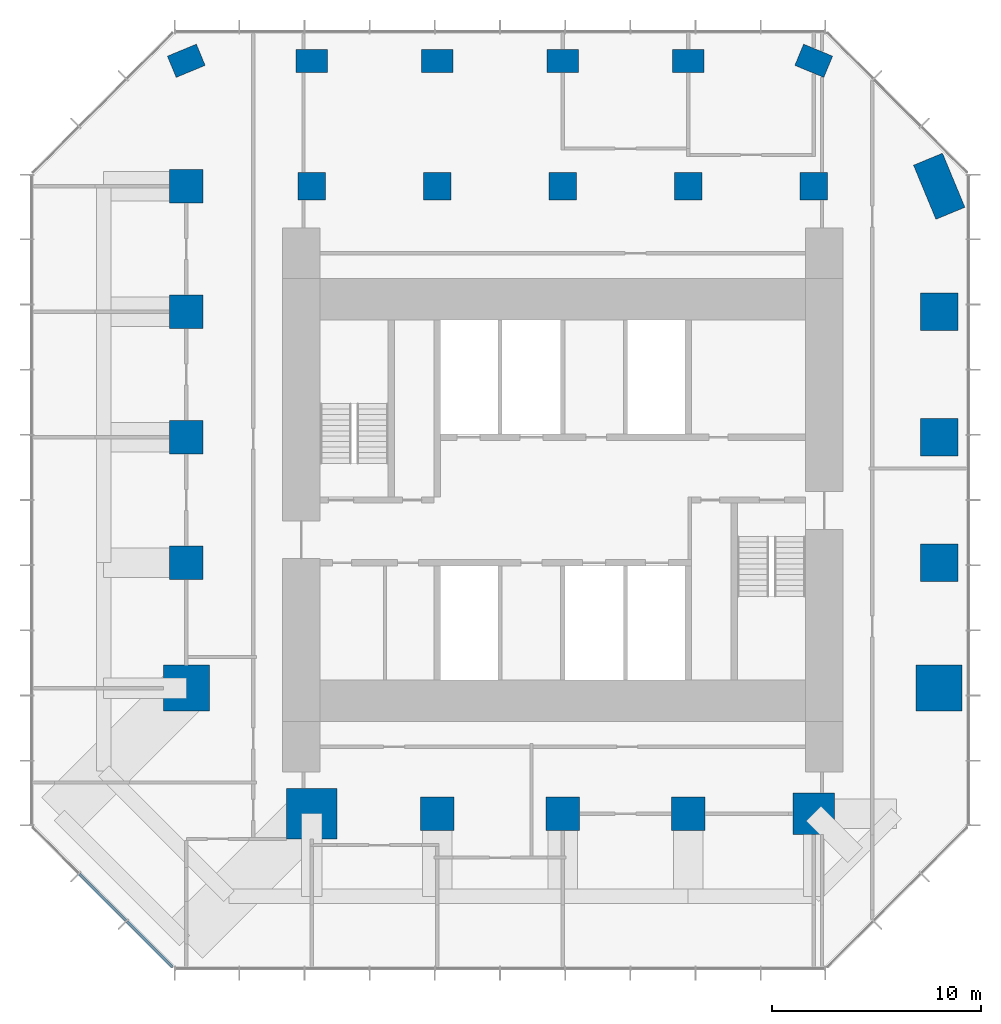
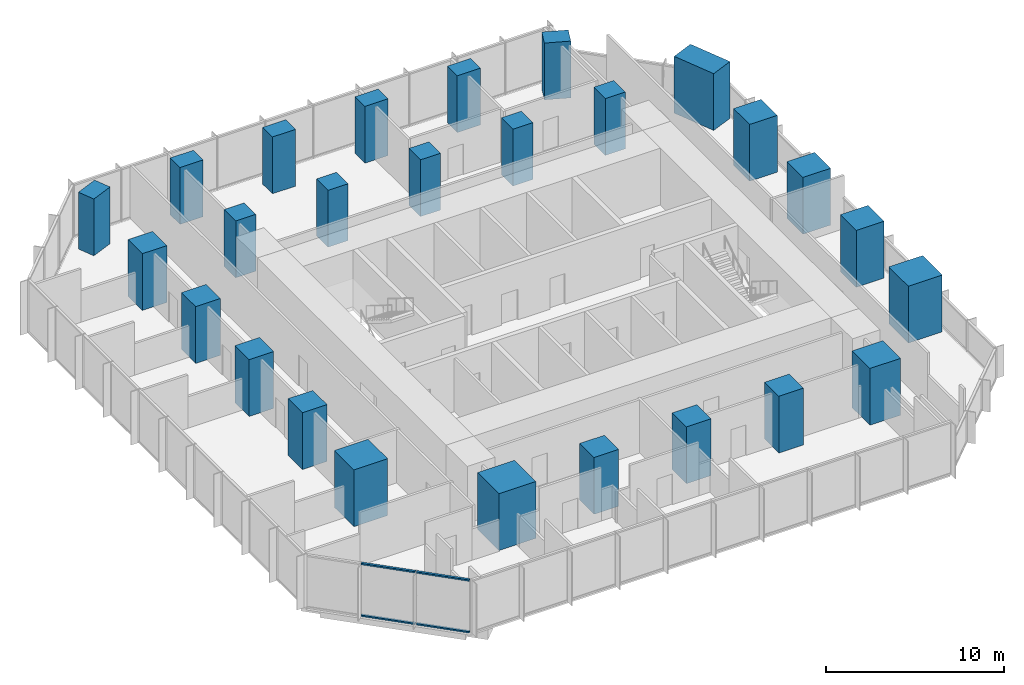
# One storey, part 1 of 11: 26 columns, 4 members, 1 element without a shape of its own.
"""IFC4 building model written with IfcOpenShell, lengths in metres."""

from ifc_helpers import new_model, si_unit, direction, frame, origin, origin_2d, place, context, subcontext, project, spatial, rectangle, extrude, material, layer, layer_set, material_profile, profile_set, type_object, element, aggregate, save


model = new_model("IFC4")

# Units and contexts
model_context = context("Model", 3, precision=1e-05, world=origin(), true_north=direction((0.0, 1.0)))
body_context = subcontext(model_context, "Body", "Model", "MODEL_VIEW")
ifc_project = project(units=[si_unit("LENGTHUNIT", "METRE"), si_unit("AREAUNIT", "SQUARE_METRE"), si_unit("VOLUMEUNIT", "CUBIC_METRE"), si_unit("PLANEANGLEUNIT", "RADIAN"), si_unit("MASSUNIT", "GRAM", prefix="KILO")], contexts=[model_context])

# Site, building, storey
site_placement = place(None, origin())
site = spatial("IfcSite", under=ifc_project, at=site_placement, CompositionType="ELEMENT")
building_placement = place(site_placement, origin())
building = spatial("IfcBuilding", under=site, at=building_placement, Name="Highveld Stack Headquarters", CompositionType="ELEMENT")
storey_placement = place(building_placement, frame((0.0, 0.0, 235.699951171875)))
storey = spatial("IfcBuildingStorey", under=building, at=storey_placement, Name="L58", CompositionType="ELEMENT", Elevation=235.699951171875)

# Columns
ifc_material_1 = material(Name="Concrete C60/75", Category="concrete")
ifc_material_profile_1 = material_profile(ifc_material_1, rectangle(XDim=1.300048828125, YDim=1.300048828125, at=origin_2d()), Name="RC 1300x1300")
ifc_profile_set_1 = profile_set([ifc_material_profile_1], Name="Concrete C60/75")
column_type_1 = type_object("IfcColumnType", Name="COLUMN RC 1300x1300 C60/75", PredefinedType="COLUMN", material=ifc_profile_set_1)
for number, where, z_axis, x_axis, name in (
    (1, (-6.0, 18.0, 0.0), (0.0, 0.0, 1.0), (1.0, 0.0, 0.0), "Column 5/H L58"),
    (2, (0.0, 18.0, 0.0), (0.0, 0.0, 1.0), (1.0, 0.0, 0.0), "Column 6/H L58"),
    (3, (6.0, 18.0, 0.0), (0.0, 0.0, 1.0), (1.0, 0.0, 0.0), "Column 7/H L58"),
    (4, (12.0, 18.0, 0.0), (0.0, 0.0, 1.0), (1.0, 0.0, 0.0), "Column 8/H L58"),
    (5, (18.0, 18.0, 0.0), (0.0, 0.0, 1.0), (1.0, 0.0, 0.0), "Column 9/H L58"),
):
    element("IfcColumn", number, at=place(storey_placement, frame(where, z_axis=z_axis, x_axis=x_axis)), inside=storey, type_object=column_type_1, Name=name, PredefinedType="COLUMN", context=body_context, shape_type="SweptSolid", body=[
        extrude(rectangle(XDim=1.300048828125, YDim=1.300048828125, at=origin_2d()), origin(), (0.0, 0.0, 1.0), 3.900146484375),
    ])
ifc_material_2 = material(Name="Concrete C60/75", Category="concrete")
ifc_material_profile_2 = material_profile(ifc_material_2, rectangle(XDim=1.5, YDim=1.10009765625, at=origin_2d()), Name="RC 1500x1100")
ifc_profile_set_2 = profile_set([ifc_material_profile_2], Name="Concrete C60/75")
column_type_2 = type_object("IfcColumnType", Name="COLUMN RC 1500x1100 C60/75", PredefinedType="COLUMN", material=ifc_profile_set_2)
for number, where, z_axis, x_axis, name in (
    (6, (-12.0, 24.0, 0.0), (0.0, 0.0, 1.0), (0.923879532511, 0.382683432365, 0.0), "Column 4/J L58"),
    (7, (-6.0, 24.0, 0.0), (0.0, 0.0, 1.0), (1.0, 0.0, 0.0), "Column 5/J L58"),
    (8, (0.0, 24.0, 0.0), (0.0, 0.0, 1.0), (1.0, 0.0, 0.0), "Column 6/J L58"),
    (9, (6.0, 24.0, 0.0), (0.0, 0.0, 1.0), (1.0, 0.0, 0.0), "Column 7/J L58"),
    (10, (12.0, 24.0, 0.0), (0.0, 0.0, 1.0), (1.0, 0.0, 0.0), "Column 8/J L58"),
    (11, (18.0, 24.0, 0.0), (0.0, 0.0, 1.0), (0.923879532511, -0.382683432365, 0.0), "Column 9/J L58"),
):
    element("IfcColumn", number, at=place(storey_placement, frame(where, z_axis=z_axis, x_axis=x_axis)), inside=storey, type_object=column_type_2, Name=name, PredefinedType="COLUMN", context=body_context, shape_type="SweptSolid", body=[
        extrude(rectangle(XDim=1.5, YDim=1.10009765625, at=origin_2d()), origin(), (0.0, 0.0, 1.0), 3.900146484375),
    ])
ifc_material_3 = material(Name="Concrete C60/75", Category="concrete")
ifc_material_profile_3 = material_profile(ifc_material_3, rectangle(XDim=1.60009765625, YDim=1.60009765625, at=origin_2d()), Name="RC 1600x1600")
ifc_profile_set_3 = profile_set([ifc_material_profile_3], Name="Concrete C60/75")
column_type_3 = type_object("IfcColumnType", Name="COLUMN RC 1600x1600 C60/75", PredefinedType="COLUMN", material=ifc_profile_set_3)
for number, where, z_axis, x_axis, name in (
    (12, (-12.0, 0.0, 0.0), (0.0, 0.0, 1.0), (1.0, 0.0, 0.0), "Column 4/E L58"),
    (13, (-12.0, 6.0, 0.0), (0.0, 0.0, 1.0), (1.0, 0.0, 0.0), "Column 4/F L58"),
    (14, (-12.0, 12.0, 0.0), (0.0, 0.0, 1.0), (1.0, 0.0, 0.0), "Column 4/G L58"),
    (15, (-12.0, 18.0, 0.0), (0.0, 0.0, 1.0), (1.0, 0.0, 0.0), "Column 4/H L58"),
    (16, (0.0, -12.0, 0.0), (0.0, 0.0, 1.0), (1.0, 0.0, 0.0), "Column 6/C L58"),
    (17, (6.0, -12.0, 0.0), (0.0, 0.0, 1.0), (1.0, 0.0, 0.0), "Column 7/C L58"),
    (18, (12.0, -12.0, 0.0), (0.0, 0.0, 1.0), (1.0, 0.0, 0.0), "Column 8/C L58"),
):
    element("IfcColumn", number, at=place(storey_placement, frame(where, z_axis=z_axis, x_axis=x_axis)), inside=storey, type_object=column_type_3, Name=name, PredefinedType="COLUMN", context=body_context, shape_type="SweptSolid", body=[
        extrude(rectangle(XDim=1.60009765625, YDim=1.60009765625, at=origin_2d()), origin(), (0.0, 0.0, 1.0), 3.900146484375),
    ])
ifc_material_4 = material(Name="Concrete C60/75", Category="concrete")
ifc_material_profile_4 = material_profile(ifc_material_4, rectangle(XDim=1.800048828125, YDim=1.800048828125, at=origin_2d()), Name="RC 1800x1800")
ifc_profile_set_4 = profile_set([ifc_material_profile_4], Name="Concrete C60/75")
column_type_4 = type_object("IfcColumnType", Name="COLUMN RC 1800x1800 C60/75", PredefinedType="COLUMN", material=ifc_profile_set_4)
for number, where, z_axis, x_axis, name in (
    (19, (24.0, 0.0, 0.0), (0.0, 0.0, 1.0), (1.0, 0.0, 0.0), "Column 10/E L58"),
    (20, (24.0, 6.0, 0.0), (0.0, 0.0, 1.0), (1.0, 0.0, 0.0), "Column 10/F L58"),
    (21, (24.0, 12.0, 0.0), (0.0, 0.0, 1.0), (1.0, 0.0, 0.0), "Column 10/G L58"),
):
    element("IfcColumn", number, at=place(storey_placement, frame(where, z_axis=z_axis, x_axis=x_axis)), inside=storey, type_object=column_type_4, Name=name, PredefinedType="COLUMN", context=body_context, shape_type="SweptSolid", body=[
        extrude(rectangle(XDim=1.800048828125, YDim=1.800048828125, at=origin_2d()), origin(), (0.0, 0.0, 1.0), 3.900146484375),
    ])
ifc_material_5 = material(Name="Concrete C60/75", Category="concrete")
ifc_material_profile_5 = material_profile(ifc_material_5, rectangle(XDim=2.0, YDim=2.0, at=origin_2d()), Name="RC 2000x2000")
ifc_profile_set_5 = profile_set([ifc_material_profile_5], Name="Concrete C60/75")
column_type_5 = type_object("IfcColumnType", Name="COLUMN RC 2000x2000 C60/75", PredefinedType="COLUMN", material=ifc_profile_set_5)
column_1_placement = place(storey_placement, frame((18.0, -12.0, 0.0), z_axis=(0.0, 0.0, 1.0), x_axis=(1.0, 0.0, 0.0)))
element("IfcColumn", 22, at=column_1_placement, inside=storey, type_object=column_type_5, Name="Column 9/C L58", PredefinedType="COLUMN", context=body_context, shape_type="SweptSolid", body=[
    extrude(rectangle(XDim=2.0, YDim=2.0, at=origin_2d()), origin(), (0.0, 0.0, 1.0), 3.900146484375),
])
ifc_material_6 = material(Name="Concrete C60/75", Category="concrete")
ifc_material_profile_6 = material_profile(ifc_material_6, rectangle(XDim=2.199951171875, YDim=2.199951171875, at=origin_2d()), Name="RC 2200x2200")
ifc_profile_set_6 = profile_set([ifc_material_profile_6], Name="Concrete C60/75")
column_type_6 = type_object("IfcColumnType", Name="COLUMN RC 2200x2200 C60/75", PredefinedType="COLUMN", material=ifc_profile_set_6)
for number, where, z_axis, x_axis, name in (
    (23, (-12.0, -6.0, 0.0), (0.0, 0.0, 1.0), (1.0, 0.0, 0.0), "Column 4/D L58"),
    (24, (24.0, -6.0, 0.0), (0.0, 0.0, 1.0), (1.0, 0.0, 0.0), "Column 10/D L58"),
):
    element("IfcColumn", number, at=place(storey_placement, frame(where, z_axis=z_axis, x_axis=x_axis)), inside=storey, type_object=column_type_6, Name=name, PredefinedType="COLUMN", context=body_context, shape_type="SweptSolid", body=[
        extrude(rectangle(XDim=2.199951171875, YDim=2.199951171875, at=origin_2d()), origin(), (0.0, 0.0, 1.0), 3.900146484375),
    ])
ifc_material_7 = material(Name="Concrete C60/75", Category="concrete")
ifc_material_profile_7 = material_profile(ifc_material_7, rectangle(XDim=2.39990234375, YDim=2.39990234375, at=origin_2d()), Name="RC 2400x2400")
ifc_profile_set_7 = profile_set([ifc_material_profile_7], Name="Concrete C60/75")
column_type_7 = type_object("IfcColumnType", Name="COLUMN RC 2400x2400 C60/75", PredefinedType="COLUMN", material=ifc_profile_set_7)
column_2_placement = place(storey_placement, frame((-6.0, -12.0, 0.0), z_axis=(0.0, 0.0, 1.0), x_axis=(1.0, 0.0, 0.0)))
element("IfcColumn", 25, at=column_2_placement, inside=storey, type_object=column_type_7, Name="Column 5/C L58", PredefinedType="COLUMN", context=body_context, shape_type="SweptSolid", body=[
    extrude(rectangle(XDim=2.39990234375, YDim=2.39990234375, at=origin_2d()), origin(), (0.0, 0.0, 1.0), 3.900146484375),
])
ifc_material_8 = material(Name="Concrete C60/75", Category="concrete")
ifc_material_profile_8 = material_profile(ifc_material_8, rectangle(XDim=2.800048828125, YDim=1.5, at=origin_2d()), Name="RC 2800x1500")
ifc_profile_set_8 = profile_set([ifc_material_profile_8], Name="Concrete C60/75")
column_type_8 = type_object("IfcColumnType", Name="COLUMN RC 2800x1500 C60/75", PredefinedType="COLUMN", material=ifc_profile_set_8)
column_3_placement = place(storey_placement, frame((24.0, 18.0, 0.0), z_axis=(0.0, 0.0, 1.0), x_axis=(0.382683432365, -0.923879532511, 0.0)))
element("IfcColumn", 26, at=column_3_placement, inside=storey, type_object=column_type_8, Name="Column 10/H L58", PredefinedType="COLUMN", context=body_context, shape_type="SweptSolid", body=[
    extrude(rectangle(XDim=2.800048828125, YDim=1.5, at=origin_2d()), origin(), (0.0, 0.0, 1.0), 3.900146484375),
])

# Curtain wall, members
ifc_material_9 = material(Name="Aluminium bronze anodised", Category="aluminium")
ifc_layer = layer(ifc_material_9, 0.199951171875)
ifc_layer_set = layer_set([ifc_layer], Name="Aluminium bronze anodised")
curtain_wall_type = type_object("IfcCurtainWallType", Name="CW2 TOWER CHAMFER UNITISED CURTAIN WALL", PredefinedType="NOTDEFINED", material=ifc_layer_set)
curtain_wall_placement = place(storey_placement, origin())
curtain_wall = element("IfcCurtainWall", 27, at=curtain_wall_placement, inside=storey, type_object=curtain_wall_type, Name="Curtain wall CW2 L58 SW", PredefinedType="NOTDEFINED")
ifc_material_10 = material(Name="Aluminium bronze anodised", Category="aluminium")
ifc_material_profile_9 = material_profile(ifc_material_10, rectangle(XDim=0.14990234375, YDim=0.10009765625, at=origin_2d()), Name="CW2 TRANSOM 150x100")
ifc_profile_set_9 = profile_set([ifc_material_profile_9], Name="Aluminium bronze anodised")
member_type = type_object("IfcMemberType", Name="CW2 STACK TRANSOM 150x100", PredefinedType="USERDEFINED", material=ifc_profile_set_9)
member_1_placement = place(storey_placement, frame((-17.103759765625, -14.876220703125, 0.050048828125), z_axis=(0.707106781187, -0.707106781187, 0.0), x_axis=(0.707106781187, 0.707106781187, 0.0)))
member_1 = element("IfcMember", 28, at=member_1_placement, type_object=member_type, Name="CW2 transom L58 2.1", ObjectType="TRANSOM", PredefinedType="USERDEFINED", context=body_context, shape_type="SweptSolid", body=[
    extrude(rectangle(XDim=0.14990234375, YDim=0.10009765625, at=origin_2d()), origin(), (0.0, 0.0, 1.0), 3.150146484375),
])
member_2_placement = place(storey_placement, frame((-17.103759765625, -14.876220703125, 3.60009765625), z_axis=(0.707106781187, -0.707106781187, 0.0), x_axis=(0.707106781187, 0.707106781187, 0.0)))
member_2 = element("IfcMember", 29, at=member_2_placement, type_object=member_type, Name="CW2 transom L58 2.2", ObjectType="TRANSOM", PredefinedType="USERDEFINED", context=body_context, shape_type="SweptSolid", body=[
    extrude(rectangle(XDim=0.14990234375, YDim=0.10009765625, at=origin_2d()), origin(), (0.0, 0.0, 1.0), 3.150146484375),
])
member_3_placement = place(storey_placement, frame((-14.830322265625, -17.149658203125, 0.050048828125), z_axis=(0.707106781187, -0.707106781187, 0.0), x_axis=(0.707106781187, 0.707106781187, 0.0)))
member_3 = element("IfcMember", 30, at=member_3_placement, type_object=member_type, Name="CW2 transom L58 3.1", ObjectType="TRANSOM", PredefinedType="USERDEFINED", context=body_context, shape_type="SweptSolid", body=[
    extrude(rectangle(XDim=0.14990234375, YDim=0.10009765625, at=origin_2d()), origin(), (0.0, 0.0, 1.0), 3.08251953125),
])
member_4_placement = place(storey_placement, frame((-14.830322265625, -17.149658203125, 3.60009765625), z_axis=(0.707106781187, -0.707106781187, 0.0), x_axis=(0.707106781187, 0.707106781187, 0.0)))
member_4 = element("IfcMember", 31, at=member_4_placement, type_object=member_type, Name="CW2 transom L58 3.2", ObjectType="TRANSOM", PredefinedType="USERDEFINED", context=body_context, shape_type="SweptSolid", body=[
    extrude(rectangle(XDim=0.14990234375, YDim=0.10009765625, at=origin_2d()), origin(), (0.0, 0.0, 1.0), 3.08251953125),
])
aggregate(curtain_wall, [member_1, member_2, member_3, member_4])

save(model, "model.ifc")
